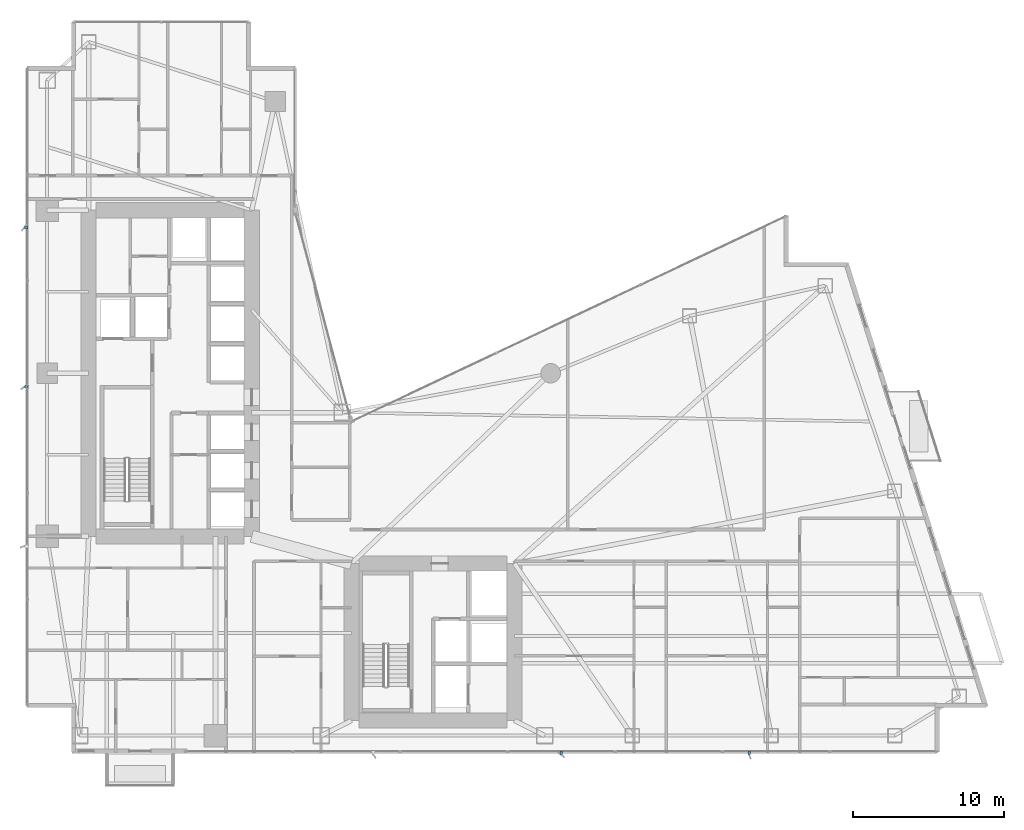
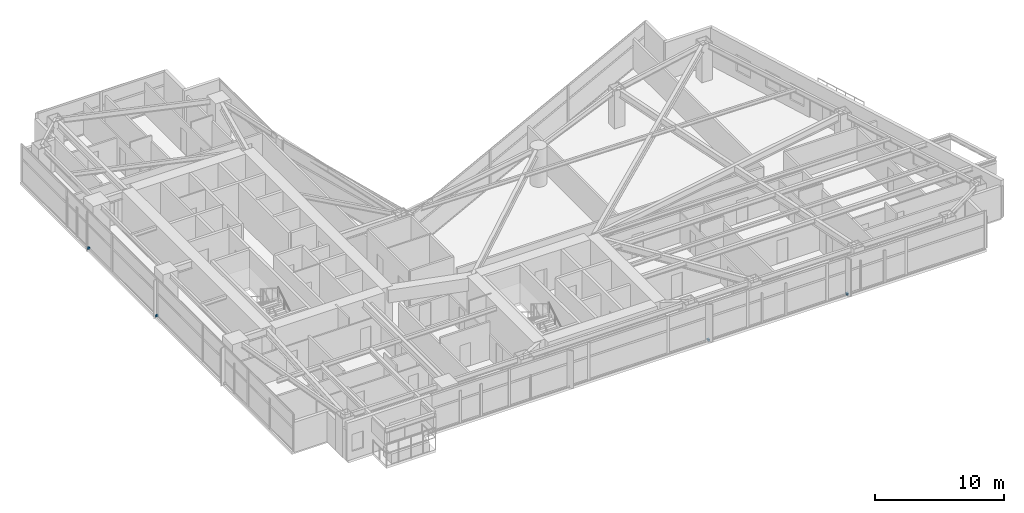
# One storey, part 27 of 29: 4 discrete accessories.
"""IFC4 building model written with IfcOpenShell, lengths in metres."""

from ifc_helpers import new_model, si_unit, direction, frame, origin, origin_2d, place, context, subcontext, project, spatial, rectangle, extrude, material, type_object, element, save


model = new_model("IFC4")

# Units and contexts
model_context = context("Model", 3, precision=1e-05, world=origin(), true_north=direction((0.0, 1.0)))
body_context = subcontext(model_context, "Body", "Model", "MODEL_VIEW")
ifc_project = project(units=[si_unit("LENGTHUNIT", "METRE"), si_unit("AREAUNIT", "SQUARE_METRE"), si_unit("VOLUMEUNIT", "CUBIC_METRE"), si_unit("PLANEANGLEUNIT", "RADIAN"), si_unit("MASSUNIT", "GRAM", prefix="KILO")], contexts=[model_context])

# Site, building, storey
site_placement = place(None, origin())
site = spatial("IfcSite", under=ifc_project, at=site_placement, CompositionType="ELEMENT")
building_placement = place(site_placement, origin())
building = spatial("IfcBuilding", under=site, at=building_placement, Name="Calvorn Quay Hotel", CompositionType="ELEMENT")
storey_placement = place(building_placement, frame((0.0, 0.0, 69.800048828125)))
storey = spatial("IfcBuildingStorey", under=building, at=storey_placement, Name="L16", CompositionType="ELEMENT", Elevation=69.800048828125)

# Discrete accessories
ifc_material = material(Name="Steel Q355B", Category="steel")
discrete_accessory_type = type_object("IfcDiscreteAccessoryType", Name="ACC-FIN-BRACKET", PredefinedType="BRACKET", material=ifc_material)
for number, where, z_axis, x_axis, name in (
    (1, (0.06005859375, 26.699951171875, 0.02978515625), (0.0, 0.0, 1.0), (1.0, 0.0, 0.0), "Fin Anchor Bracket L16-W02"),
    (2, (0.06005859375, 37.25, 0.02978515625), (0.0, 0.0, 1.0), (1.0, 0.0, 0.0), "Fin Anchor Bracket L16-W03"),
    (3, (35.5, 2.4599609375, 0.02978515625), (0.0, 0.0, 1.0), (0.0, 1.0, 0.0), "Fin Anchor Bracket L16-S02"),
    (4, (47.949951171875, 2.4599609375, 0.02978515625), (0.0, 0.0, 1.0), (0.0, 1.0, 0.0), "Fin Anchor Bracket L16-S03"),
):
    element("IfcDiscreteAccessory", number, at=place(storey_placement, frame(where, z_axis=z_axis, x_axis=x_axis)), inside=storey, type_object=discrete_accessory_type, Name=name, PredefinedType="BRACKET", context=body_context, shape_type="SweptSolid", body=[
        extrude(rectangle(XDim=0.239990234375, YDim=0.159912109375, at=origin_2d()), origin(), (0.0, 0.0, 1.0), 0.179931640625),
    ])

save(model, "model.ifc")
